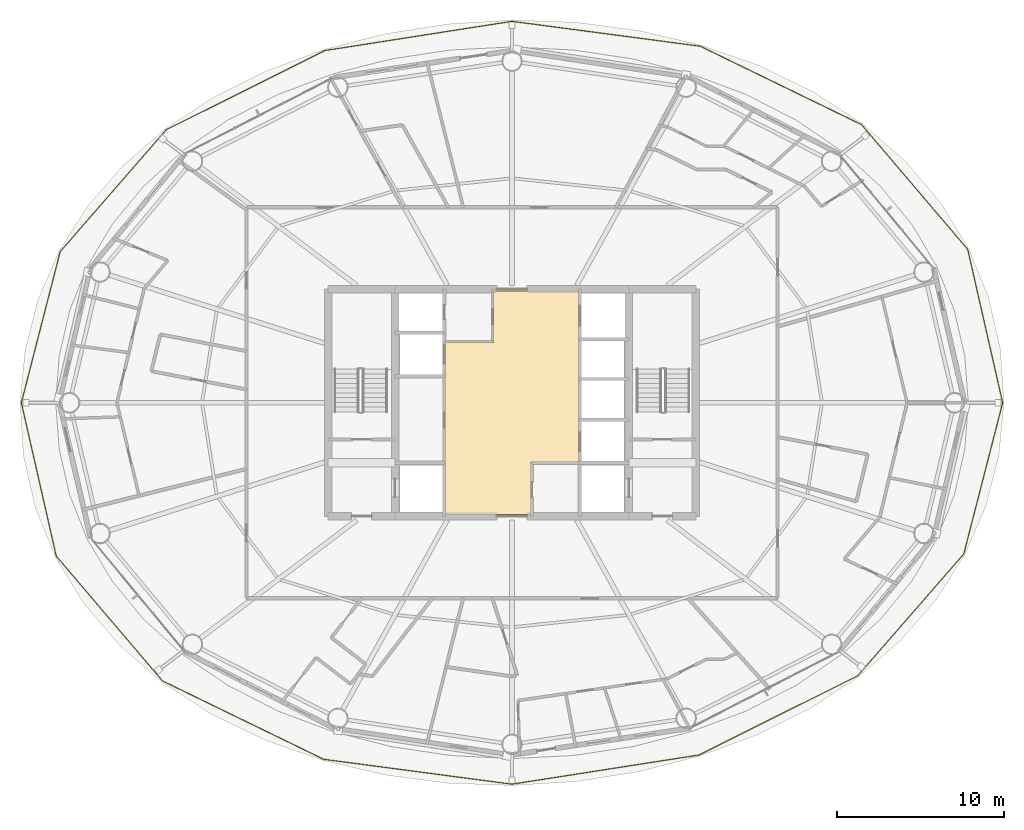
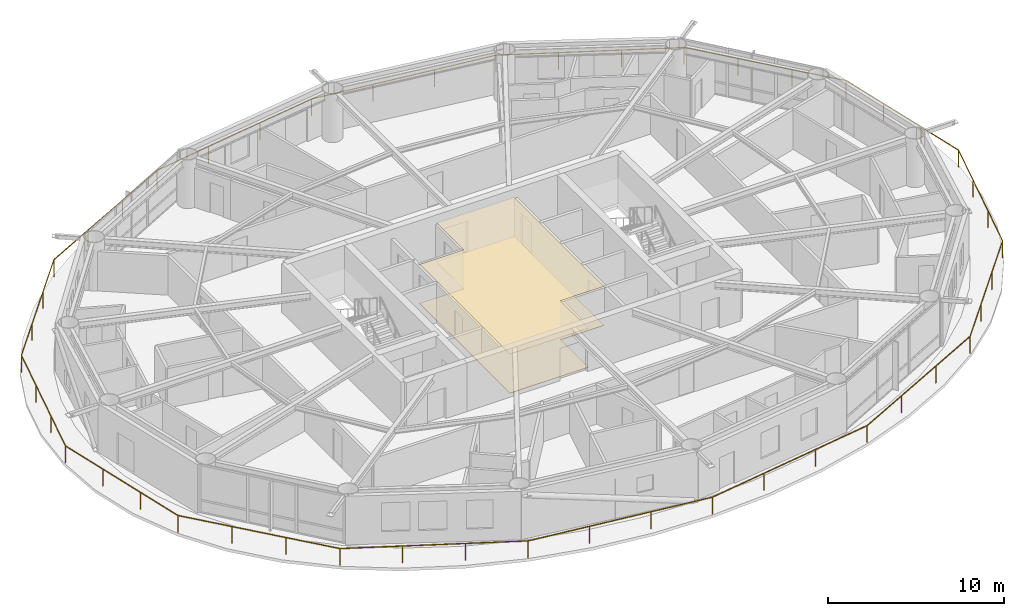
# One storey, part 26 of 27: 2 coverings, 1 railing.
"""IFC4 building model written with IfcOpenShell, lengths in metres."""

import ifcopenshell
import ifcopenshell.guid

model = None  # the IFC model being written
_history = None  # IfcOwnerHistory: only IFC2X3 demands one
_inside = {}  # id of a spatial element -> (the spatial element, [elements in it])
_under = {}  # id of a project, library or spatial element -> (it, [spatial elements below it])
_declared = {}  # id of a project -> (the project, [libraries it declares])
_typed = {}  # id of a type object -> (the type object, [elements of that type])
_made_of = {}  # id of a material, layer set ... -> (it, [elements and type objects made of it])


def new_model(schema):
    """Start an empty IFC model of exactly this schema.

    Asked for "IFC4X3", IfcOpenShell would pick the latest addendum, in which some entities
    have other attributes; the version numbers below select the first issue.
    IFC2X3 requires an IfcOwnerHistory on every rooted entity: one is made here for all.
    """
    global model, _history
    if schema == "IFC4X3":
        model = ifcopenshell.file(schema_version=(4, 3, 0, 0))
    else:
        model = ifcopenshell.file(schema=schema)
    _inside.clear()
    _under.clear()
    _declared.clear()
    _typed.clear()
    _made_of.clear()
    _history = None
    if model.schema == "IFC2X3":
        org = make("IfcOrganization", Name="unknown")
        user = make(
            "IfcPersonAndOrganization",
            ThePerson=make("IfcPerson", FamilyName="unknown"),
            TheOrganization=org,
        )
        app = make(
            "IfcApplication",
            ApplicationDeveloper=org,
            Version="unknown",
            ApplicationFullName="unknown",
            ApplicationIdentifier="unknown",
        )
        _history = make(
            "IfcOwnerHistory",
            OwningUser=user,
            OwningApplication=app,
            ChangeAction="ADDED",
            CreationDate=0,
        )
    return model


def make(cls, **values):
    """One entity of the class cls with the attributes given. An attribute that is None is left unset."""
    return model.create_entity(
        cls, **{name: value for name, value in values.items() if value is not None}
    )


def rooted(cls, **values):
    """An entity with a GlobalId (a new one), such as an element, a storey or a relation."""
    return make(cls, GlobalId=ifcopenshell.guid.new(), OwnerHistory=_history, **values)


def si_unit(unit_type, name, prefix=None):
    """IfcSIUnit, for example si_unit("LENGTHUNIT", "METRE", prefix="MILLI")."""
    return make("IfcSIUnit", UnitType=unit_type, Prefix=prefix, Name=name)


def assignment(units):
    """IfcUnitAssignment: the units of a project."""
    return None if units is None else make("IfcUnitAssignment", Units=units)


def point(xyz):
    """IfcCartesianPoint."""
    return None if xyz is None else make("IfcCartesianPoint", Coordinates=xyz)


def direction(xyz):
    """IfcDirection."""
    return None if xyz is None else make("IfcDirection", DirectionRatios=xyz)


def frame(location, z_axis=None, x_axis=None):
    """IfcAxis2Placement3D, a coordinate frame: its origin and axes. An axis left out is left unset."""
    return make(
        "IfcAxis2Placement3D",
        Location=point(location),
        Axis=direction(z_axis),
        RefDirection=direction(x_axis),
    )


def frame_2d(location, x_axis=None):
    """IfcAxis2Placement2D, a coordinate frame in the plane: its origin and x axis."""
    return make(
        "IfcAxis2Placement2D", Location=point(location), RefDirection=direction(x_axis)
    )


def origin():
    """The frame at (0, 0, 0) with its axes left unset."""
    return frame((0.0, 0.0, 0.0))


def origin_2d():
    """The frame at (0, 0) in the plane with its x axis left unset."""
    return frame_2d((0.0, 0.0))


def place(relative_to, where):
    """IfcLocalPlacement: puts the frame where relative to a parent placement (None: the world)."""
    return make(
        "IfcLocalPlacement", PlacementRelTo=relative_to, RelativePlacement=where
    )


def context(
    kind, dimensions, precision=None, world=None, true_north=None, identifier=None
):
    """IfcGeometricRepresentationContext, for example the 3D "Model" context."""
    return make(
        "IfcGeometricRepresentationContext",
        ContextIdentifier=identifier,
        ContextType=kind,
        CoordinateSpaceDimension=dimensions,
        Precision=precision,
        WorldCoordinateSystem=world,
        TrueNorth=true_north,
    )


def subcontext(parent, identifier, kind, view, scale=None):
    """IfcGeometricRepresentationSubContext, for example "Body" below "Model"."""
    return make(
        "IfcGeometricRepresentationSubContext",
        ContextIdentifier=identifier,
        ContextType=kind,
        ParentContext=parent,
        TargetScale=scale,
        TargetView=view,
    )


def project(units=None, contexts=None):
    """IfcProject with its units and contexts."""
    return rooted(
        "IfcProject",
        Name="project",
        RepresentationContexts=contexts,
        UnitsInContext=assignment(units),
    )


def spatial(cls, under=None, at=None, **own):
    """A site, building, storey or space (cls), placed at a placement, below another one or the project."""
    s = rooted(cls, ObjectPlacement=at, **own)
    if under is not None:
        _under.setdefault(under.id(), (under, []))[1].append(s)
    return s


def polyline(points):
    """IfcPolyline through the points."""
    return make("IfcPolyline", Points=[point(p) for p in points])


def profile(cls, at=None, kind="AREA", **sizes):
    """A parametric profile (cls). Its sizes go by their IFC names, for example OverallWidth=200.0."""
    return make(cls, ProfileType=kind, Position=at, **sizes)


def rectangle(**sizes):
    """IfcRectangleProfileDef."""
    return profile("IfcRectangleProfileDef", **sizes)


def outline(outer, holes=None, kind="AREA"):
    """IfcArbitraryClosedProfileDef: a profile drawn as a closed curve; with holes, ...WithVoids."""
    if holes is None:
        return make("IfcArbitraryClosedProfileDef", ProfileType=kind, OuterCurve=outer)
    return make(
        "IfcArbitraryProfileDefWithVoids",
        ProfileType=kind,
        OuterCurve=outer,
        InnerCurves=holes,
    )


def extrude(swept, where, along, depth):
    """IfcExtrudedAreaSolid: the profile swept, set in the frame where, extruded along a direction by depth."""
    return make(
        "IfcExtrudedAreaSolid",
        SweptArea=swept,
        Position=where,
        ExtrudedDirection=direction(along),
        Depth=depth,
    )


def shape(context_of_items, identifier, shape_type, items):
    """IfcShapeRepresentation: the items that make up one representation, for example the "Body"."""
    return make(
        "IfcShapeRepresentation",
        ContextOfItems=context_of_items,
        RepresentationIdentifier=identifier,
        RepresentationType=shape_type,
        Items=items,
    )


def material(Name=None, Category=None):
    """IfcMaterial."""
    return make("IfcMaterial", Name=Name, Category=Category)


def layer(
    of_material, thickness, ventilated=None, Name=None, Category=None, Priority=None
):
    """IfcMaterialLayer: one layer of a wall or slab, of a material (None: an air gap)."""
    return make(
        "IfcMaterialLayer",
        Material=of_material,
        LayerThickness=thickness,
        IsVentilated=ventilated,
        Name=Name,
        Category=Category,
        Priority=Priority,
    )


def layer_set(layers, Name=None):
    """IfcMaterialLayerSet."""
    return make("IfcMaterialLayerSet", MaterialLayers=layers, LayerSetName=Name)


def made_of(thing, what):
    """Note that an element or type object is made of a material, layer set ...; save() writes the relation."""
    if what is not None:
        _made_of.setdefault(what.id(), (what, []))[1].append(thing)
    return thing


def type_object(cls, material=None, **own):
    """A type object (cls), such as IfcWallType, which elements share."""
    return made_of(rooted(cls, **own), material)


def element(
    cls,
    number,
    at=None,
    inside=None,
    cuts=None,
    type_object=None,
    material=None,
    context=None,
    identifier="Body",
    shape_type=None,
    held_by="IfcProductDefinitionShape",
    body=None,
    shapes=None,
    **own,
):
    """One element of the class cls, such as IfcWall. Its Tag is "e" and its number.

    at: its placement. inside: the storey or other place that contains it. cuts: it is an
    opening in that element (IfcRelVoidsElement). A single representation is given by context,
    identifier, shape_type and body (its items); several are given by shapes. held_by: the class
    of the entity that holds the representations. save() writes the other relations.
    """
    e = rooted(cls, Tag="e%d" % number, ObjectPlacement=at, **own)
    if body is not None:
        shapes = [shape(context, identifier, shape_type, body)]
    if shapes is not None:
        e.Representation = make(held_by, Representations=shapes)
    if inside is not None:
        _inside.setdefault(inside.id(), (inside, []))[1].append(e)
    if cuts is not None:
        rooted(
            "IfcRelVoidsElement", RelatingBuildingElement=cuts, RelatedOpeningElement=e
        )
    if type_object is not None:
        _typed.setdefault(type_object.id(), (type_object, []))[1].append(e)
    return made_of(e, material)


def aggregate(whole, parts):
    """IfcRelAggregates: a whole, such as a stair, and the parts it consists of."""
    return rooted("IfcRelAggregates", RelatingObject=whole, RelatedObjects=parts)


def save(model, path):
    """Write the relations noted so far, then the file.

    IfcRelAggregates (storeys below a building ...), IfcRelContainedInSpatialStructure (elements
    in a storey), IfcRelDefinesByType, IfcRelAssociatesMaterial and IfcRelDeclares: one each for
    every whole, place, type object, material and project.
    """
    for whole, parts in _under.values():
        aggregate(whole, parts)
    for where, things in _inside.values():
        rooted(
            "IfcRelContainedInSpatialStructure",
            RelatedElements=things,
            RelatingStructure=where,
        )
    for kind, things in _typed.values():
        rooted("IfcRelDefinesByType", RelatedObjects=things, RelatingType=kind)
    for what, things in _made_of.values():
        rooted("IfcRelAssociatesMaterial", RelatedObjects=things, RelatingMaterial=what)
    for by, libraries in _declared.values():
        rooted("IfcRelDeclares", RelatingContext=by, RelatedDefinitions=libraries)
    model.write(path)


model = new_model("IFC4")

# Units and contexts
model_context = context("Model", 3, precision=1e-05, world=origin(), true_north=direction((0.0, 1.0)))
body_context = subcontext(model_context, "Body", "Model", "MODEL_VIEW")
ifc_project = project(units=[si_unit("LENGTHUNIT", "METRE"), si_unit("AREAUNIT", "SQUARE_METRE"), si_unit("VOLUMEUNIT", "CUBIC_METRE"), si_unit("PLANEANGLEUNIT", "RADIAN"), si_unit("MASSUNIT", "GRAM", prefix="KILO")], contexts=[model_context])

# Site, building, storey
site_placement = place(None, origin())
site = spatial("IfcSite", under=ifc_project, at=site_placement, CompositionType="ELEMENT")
building_placement = place(site_placement, origin())
building = spatial("IfcBuilding", under=site, at=building_placement, Name="Sarneth Arch Tower", CompositionType="ELEMENT")
storey_placement = place(building_placement, frame((0.0, 0.0, 186.60009765625)))
storey = spatial("IfcBuildingStorey", under=building, at=storey_placement, Name="L47", CompositionType="ELEMENT", Elevation=186.60009765625)

# Coverings
ifc_material_1 = material(Name="Perforated acoustic gypsum ceiling board")
ifc_layer_1 = layer(ifc_material_1, 0.02490234375)
ifc_layer_set_1 = layer_set([ifc_layer_1], Name="Perforated acoustic gypsum ceiling board")
covering_type_1 = type_object("IfcCoveringType", Name="COV-CEIL-GYP", PredefinedType="CEILING", material=ifc_layer_set_1)
covering_1_placement = place(storey_placement, frame((0.0, 0.0, 2.7099609375)))
element("IfcCovering", 1, at=covering_1_placement, inside=storey, type_object=covering_type_1, Name="L47 Lift lobby acoustic ceiling", PredefinedType="CEILING", context=body_context, shape_type="SweptSolid", body=[
    extrude(outline(polyline([(49.14990234375, 38.449951171875), (49.14990234375, 35.300048828125), (44.0, 35.300048828125), (44.0, 45.60009765625), (46.89990234375, 45.60009765625), (46.89990234375, 48.699951171875), (52.0, 48.699951171875), (52.0, 38.449951171875), (49.14990234375, 38.449951171875)])), origin(), (0.0, 0.0, 1.0), 0.030029296875),
])
ifc_material_2 = material(Name="Honed granite stone flooring", Category="masonry")
ifc_layer_2 = layer(ifc_material_2, 0.030029296875)
ifc_layer_set_2 = layer_set([ifc_layer_2], Name="Honed granite stone flooring")
covering_type_2 = type_object("IfcCoveringType", Name="COV-FLR-STONE", PredefinedType="FLOORING", material=ifc_layer_set_2)
covering_2_placement = place(storey_placement, origin())
element("IfcCovering", 2, at=covering_2_placement, inside=storey, type_object=covering_type_2, Name="L47 Lift lobby granite flooring", PredefinedType="FLOORING", context=body_context, shape_type="SweptSolid", body=[
    extrude(outline(polyline([(49.14990234375, 38.449951171875), (49.14990234375, 35.300048828125), (44.0, 35.300048828125), (44.0, 45.60009765625), (46.89990234375, 45.60009765625), (46.89990234375, 48.699951171875), (52.0, 48.699951171875), (52.0, 38.449951171875), (49.14990234375, 38.449951171875)])), origin(), (0.0, 0.0, 1.0), 0.02978515625),
])

# Railing
ifc_material_3 = material(Name="Laminated structural glass infill with Stainless Steel 316 top rail and posts", Category="steel")
railing_type = type_object("IfcRailingType", Name="RAIL-BALC-1200", PredefinedType="BALUSTRADE", material=ifc_material_3)
railing_placement = place(storey_placement, frame((77.37109375, 42.0, 0.0)))
element("IfcRailing", 3, at=railing_placement, inside=storey, type_object=railing_type, Name="L47 Helical balcony glass balustrade", PredefinedType="BALUSTRADE", context=body_context, shape_type="SweptSolid", body=[
    extrude(rectangle(XDim=0.048095703125, YDim=0.048095703125, at=origin_2d()), frame((0.0, 0.0, 1.17578125), z_axis=(-0.222126435417, 0.975017869933, 0.0), x_axis=(-0.975017869933, -0.222126435417, 0.0)), (0.0, 0.0, 1.0), 9.417236328125),
    extrude(rectangle(XDim=0.048095703125, YDim=0.048095703125, at=origin_2d()), frame((-2.091796875, 9.181884765625, 1.17578125), z_axis=(-0.648115249592, 0.761542266224, 0.0), x_axis=(-0.761542266224, -0.648115249592, 0.0)), (0.0, 0.0, 1.0), 9.80419921875),
    extrude(rectangle(XDim=0.048095703125, YDim=0.048095703125, at=origin_2d()), frame((-8.446044921875, 16.648193359375, 1.17578125), z_axis=(-0.899342644461, 0.437244562978, 0.0), x_axis=(-0.437244562978, -0.899342644461, 0.0)), (0.0, 0.0, 1.0), 10.73681640625),
    extrude(rectangle(XDim=0.048095703125, YDim=0.048095703125, at=origin_2d()), frame((-18.10205078125, 21.3427734375, 1.17578125), z_axis=(-0.99138030164, 0.131015638459, 0.0), x_axis=(-0.131015638459, -0.99138030164, 0.0)), (0.0, 0.0, 1.0), 11.366943359375),
    extrude(rectangle(XDim=0.048095703125, YDim=0.048095703125, at=origin_2d()), frame((-29.37109375, 22.83203125, 1.17578125), z_axis=(-0.988026724553, -0.154282829793, 0.0), x_axis=(0.154282829793, -0.988026724553, 0.0)), (0.0, 0.0, 1.0), 11.32373046875),
    extrude(rectangle(XDim=0.048095703125, YDim=0.048095703125, at=origin_2d()), frame((-40.559326171875, 21.0849609375, 1.17578125), z_axis=(-0.894854205727, -0.446358544774, 0.0), x_axis=(0.446358544774, -0.894854205727, 0.0)), (0.0, 0.0, 1.0), 10.624267578125),
    extrude(rectangle(XDim=0.048095703125, YDim=0.048095703125, at=origin_2d()), frame((-50.06640625, 16.3427734375, 1.17578125), z_axis=(-0.656582477541, -0.75425423445, 0.0), x_axis=(0.75425423445, -0.656582477541, 0.0)), (0.0, 0.0, 1.0), 9.66845703125),
    extrude(rectangle(XDim=0.048095703125, YDim=0.048095703125, at=origin_2d()), frame((-56.41455078125, 9.05029296875, 1.17578125), z_axis=(-0.249083048847, -0.968482129302, 0.0), x_axis=(0.968482129302, -0.249083048847, 0.0)), (0.0, 0.0, 1.0), 9.3447265625),
    extrude(rectangle(XDim=0.048095703125, YDim=0.048095703125, at=origin_2d()), frame((-58.7421875, 0.0, 1.17578125), z_axis=(0.222126435417, -0.975017869933, 0.0), x_axis=(0.975017869933, 0.222126435417, 0.0)), (0.0, 0.0, 1.0), 9.417236328125),
    extrude(rectangle(XDim=0.048095703125, YDim=0.048095703125, at=origin_2d()), frame((-56.650390625, -9.181884765625, 1.17578125), z_axis=(0.648115249592, -0.761542266224, 0.0), x_axis=(0.761542266224, 0.648115249592, 0.0)), (0.0, 0.0, 1.0), 9.80419921875),
    extrude(rectangle(XDim=0.048095703125, YDim=0.048095703125, at=origin_2d()), frame((-50.296142578125, -16.648193359375, 1.17578125), z_axis=(0.899342644461, -0.437244562978, 0.0), x_axis=(0.437244562978, 0.899342644461, 0.0)), (0.0, 0.0, 1.0), 10.73681640625),
    extrude(rectangle(XDim=0.048095703125, YDim=0.048095703125, at=origin_2d()), frame((-40.64013671875, -21.3427734375, 1.17578125), z_axis=(0.99138030164, -0.131015638459, 0.0), x_axis=(0.131015638459, 0.99138030164, 0.0)), (0.0, 0.0, 1.0), 11.366943359375),
    extrude(rectangle(XDim=0.048095703125, YDim=0.048095703125, at=origin_2d()), frame((-29.37109375, -22.83203125, 1.17578125), z_axis=(0.988026724553, 0.154282829793, 0.0), x_axis=(-0.154282829793, 0.988026724553, 0.0)), (0.0, 0.0, 1.0), 11.32373046875),
    extrude(rectangle(XDim=0.048095703125, YDim=0.048095703125, at=origin_2d()), frame((-18.182861328125, -21.0849609375, 1.17578125), z_axis=(0.894854205727, 0.446358544774, 0.0), x_axis=(-0.446358544774, 0.894854205727, 0.0)), (0.0, 0.0, 1.0), 10.624267578125),
    extrude(rectangle(XDim=0.048095703125, YDim=0.048095703125, at=origin_2d()), frame((-8.67578125, -16.3427734375, 1.17578125), z_axis=(0.656582477541, 0.75425423445, 0.0), x_axis=(-0.75425423445, 0.656582477541, 0.0)), (0.0, 0.0, 1.0), 9.66845703125),
    extrude(rectangle(XDim=0.048095703125, YDim=0.048095703125, at=origin_2d()), frame((-2.32763671875, -9.05029296875, 1.17578125), z_axis=(0.249083048847, 0.968482129302, 0.0), x_axis=(-0.968482129302, 0.249083048847, 0.0)), (0.0, 0.0, 1.0), 9.3447265625),
    extrude(rectangle(XDim=0.0419921875, YDim=0.0419921875, at=origin_2d()), origin(), (0.0, 0.0, 1.0), 1.15185546875),
    extrude(rectangle(XDim=0.0419921875, YDim=0.0419921875, at=origin_2d()), frame((-0.697265625, 3.060546875, 0.0)), (0.0, 0.0, 1.0), 1.15185546875),
    extrude(rectangle(XDim=0.0419921875, YDim=0.0419921875, at=origin_2d()), frame((-1.39453125, 6.121337890625, 0.0)), (0.0, 0.0, 1.0), 1.15185546875),
    extrude(rectangle(XDim=0.0419921875, YDim=0.0419921875, at=origin_2d()), frame((-2.091796875, 9.181884765625, 0.0)), (0.0, 0.0, 1.0), 1.15185546875),
    extrude(rectangle(XDim=0.0419921875, YDim=0.0419921875, at=origin_2d()), frame((-4.2099609375, 11.670654296875, 0.0)), (0.0, 0.0, 1.0), 1.15185546875),
    extrude(rectangle(XDim=0.0419921875, YDim=0.0419921875, at=origin_2d()), frame((-6.327880859375, 14.159423828125, 0.0)), (0.0, 0.0, 1.0), 1.15185546875),
    extrude(rectangle(XDim=0.0419921875, YDim=0.0419921875, at=origin_2d()), frame((-8.446044921875, 16.648193359375, 0.0)), (0.0, 0.0, 1.0), 1.15185546875),
    extrude(rectangle(XDim=0.0419921875, YDim=0.0419921875, at=origin_2d()), frame((-11.664794921875, 18.213134765625, 0.0)), (0.0, 0.0, 1.0), 1.15185546875),
    extrude(rectangle(XDim=0.0419921875, YDim=0.0419921875, at=origin_2d()), frame((-14.88330078125, 19.77783203125, 0.0)), (0.0, 0.0, 1.0), 1.15185546875),
    extrude(rectangle(XDim=0.0419921875, YDim=0.0419921875, at=origin_2d()), frame((-18.10205078125, 21.3427734375, 0.0)), (0.0, 0.0, 1.0), 1.15185546875),
    extrude(rectangle(XDim=0.0419921875, YDim=0.0419921875, at=origin_2d()), frame((-21.8583984375, 21.839111328125, 0.0)), (0.0, 0.0, 1.0), 1.15185546875),
    extrude(rectangle(XDim=0.0419921875, YDim=0.0419921875, at=origin_2d()), frame((-25.61474609375, 22.335693359375, 0.0)), (0.0, 0.0, 1.0), 1.15185546875),
    extrude(rectangle(XDim=0.0419921875, YDim=0.0419921875, at=origin_2d()), frame((-29.37109375, 22.83203125, 0.0)), (0.0, 0.0, 1.0), 1.15185546875),
    extrude(rectangle(XDim=0.0419921875, YDim=0.0419921875, at=origin_2d()), frame((-33.1005859375, 22.249755859375, 0.0)), (0.0, 0.0, 1.0), 1.15185546875),
    extrude(rectangle(XDim=0.0419921875, YDim=0.0419921875, at=origin_2d()), frame((-36.829833984375, 21.667236328125, 0.0)), (0.0, 0.0, 1.0), 1.15185546875),
    extrude(rectangle(XDim=0.0419921875, YDim=0.0419921875, at=origin_2d()), frame((-40.559326171875, 21.0849609375, 0.0)), (0.0, 0.0, 1.0), 1.15185546875),
    extrude(rectangle(XDim=0.0419921875, YDim=0.0419921875, at=origin_2d()), frame((-43.728271484375, 19.504150390625, 0.0)), (0.0, 0.0, 1.0), 1.15185546875),
    extrude(rectangle(XDim=0.0419921875, YDim=0.0419921875, at=origin_2d()), frame((-46.8974609375, 17.923583984375, 0.0)), (0.0, 0.0, 1.0), 1.15185546875),
    extrude(rectangle(XDim=0.0419921875, YDim=0.0419921875, at=origin_2d()), frame((-50.06640625, 16.3427734375, 0.0)), (0.0, 0.0, 1.0), 1.15185546875),
    extrude(rectangle(XDim=0.0419921875, YDim=0.0419921875, at=origin_2d()), frame((-52.182373046875, 13.911865234375, 0.0)), (0.0, 0.0, 1.0), 1.15185546875),
    extrude(rectangle(XDim=0.0419921875, YDim=0.0419921875, at=origin_2d()), frame((-54.298583984375, 11.481201171875, 0.0)), (0.0, 0.0, 1.0), 1.15185546875),
    extrude(rectangle(XDim=0.0419921875, YDim=0.0419921875, at=origin_2d()), frame((-56.41455078125, 9.05029296875, 0.0)), (0.0, 0.0, 1.0), 1.15185546875),
    extrude(rectangle(XDim=0.0419921875, YDim=0.0419921875, at=origin_2d()), frame((-57.1904296875, 6.033447265625, 0.0)), (0.0, 0.0, 1.0), 1.15185546875),
    extrude(rectangle(XDim=0.0419921875, YDim=0.0419921875, at=origin_2d()), frame((-57.96630859375, 3.016845703125, 0.0)), (0.0, 0.0, 1.0), 1.15185546875),
    extrude(rectangle(XDim=0.0419921875, YDim=0.0419921875, at=origin_2d()), frame((-58.7421875, 0.0, 0.0)), (0.0, 0.0, 1.0), 1.15185546875),
    extrude(rectangle(XDim=0.0419921875, YDim=0.0419921875, at=origin_2d()), frame((-58.044921875, -3.060546875, 0.0)), (0.0, 0.0, 1.0), 1.15185546875),
    extrude(rectangle(XDim=0.0419921875, YDim=0.0419921875, at=origin_2d()), frame((-57.34765625, -6.121337890625, 0.0)), (0.0, 0.0, 1.0), 1.15185546875),
    extrude(rectangle(XDim=0.0419921875, YDim=0.0419921875, at=origin_2d()), frame((-56.650390625, -9.181884765625, 0.0)), (0.0, 0.0, 1.0), 1.15185546875),
    extrude(rectangle(XDim=0.0419921875, YDim=0.0419921875, at=origin_2d()), frame((-54.5322265625, -11.670654296875, 0.0)), (0.0, 0.0, 1.0), 1.15185546875),
    extrude(rectangle(XDim=0.0419921875, YDim=0.0419921875, at=origin_2d()), frame((-52.414306640625, -14.159423828125, 0.0)), (0.0, 0.0, 1.0), 1.15185546875),
    extrude(rectangle(XDim=0.0419921875, YDim=0.0419921875, at=origin_2d()), frame((-50.296142578125, -16.648193359375, 0.0)), (0.0, 0.0, 1.0), 1.15185546875),
    extrude(rectangle(XDim=0.0419921875, YDim=0.0419921875, at=origin_2d()), frame((-47.077392578125, -18.213134765625, 0.0)), (0.0, 0.0, 1.0), 1.15185546875),
    extrude(rectangle(XDim=0.0419921875, YDim=0.0419921875, at=origin_2d()), frame((-43.85888671875, -19.77783203125, 0.0)), (0.0, 0.0, 1.0), 1.15185546875),
    extrude(rectangle(XDim=0.0419921875, YDim=0.0419921875, at=origin_2d()), frame((-40.64013671875, -21.3427734375, 0.0)), (0.0, 0.0, 1.0), 1.15185546875),
    extrude(rectangle(XDim=0.0419921875, YDim=0.0419921875, at=origin_2d()), frame((-36.8837890625, -21.839111328125, 0.0)), (0.0, 0.0, 1.0), 1.15185546875),
    extrude(rectangle(XDim=0.0419921875, YDim=0.0419921875, at=origin_2d()), frame((-33.12744140625, -22.335693359375, 0.0)), (0.0, 0.0, 1.0), 1.15185546875),
    extrude(rectangle(XDim=0.0419921875, YDim=0.0419921875, at=origin_2d()), frame((-29.37109375, -22.83203125, 0.0)), (0.0, 0.0, 1.0), 1.15185546875),
    extrude(rectangle(XDim=0.0419921875, YDim=0.0419921875, at=origin_2d()), frame((-25.6416015625, -22.249755859375, 0.0)), (0.0, 0.0, 1.0), 1.15185546875),
    extrude(rectangle(XDim=0.0419921875, YDim=0.0419921875, at=origin_2d()), frame((-21.912353515625, -21.667236328125, 0.0)), (0.0, 0.0, 1.0), 1.15185546875),
    extrude(rectangle(XDim=0.0419921875, YDim=0.0419921875, at=origin_2d()), frame((-18.182861328125, -21.0849609375, 0.0)), (0.0, 0.0, 1.0), 1.15185546875),
    extrude(rectangle(XDim=0.0419921875, YDim=0.0419921875, at=origin_2d()), frame((-15.013916015625, -19.504150390625, 0.0)), (0.0, 0.0, 1.0), 1.15185546875),
    extrude(rectangle(XDim=0.0419921875, YDim=0.0419921875, at=origin_2d()), frame((-11.8447265625, -17.923583984375, 0.0)), (0.0, 0.0, 1.0), 1.15185546875),
    extrude(rectangle(XDim=0.0419921875, YDim=0.0419921875, at=origin_2d()), frame((-8.67578125, -16.3427734375, 0.0)), (0.0, 0.0, 1.0), 1.15185546875),
    extrude(rectangle(XDim=0.0419921875, YDim=0.0419921875, at=origin_2d()), frame((-6.559814453125, -13.911865234375, 0.0)), (0.0, 0.0, 1.0), 1.15185546875),
    extrude(rectangle(XDim=0.0419921875, YDim=0.0419921875, at=origin_2d()), frame((-4.443603515625, -11.481201171875, 0.0)), (0.0, 0.0, 1.0), 1.15185546875),
    extrude(rectangle(XDim=0.0419921875, YDim=0.0419921875, at=origin_2d()), frame((-2.32763671875, -9.05029296875, 0.0)), (0.0, 0.0, 1.0), 1.15185546875),
    extrude(rectangle(XDim=0.0419921875, YDim=0.0419921875, at=origin_2d()), frame((-1.5517578125, -6.033447265625, 0.0)), (0.0, 0.0, 1.0), 1.15185546875),
    extrude(rectangle(XDim=0.0419921875, YDim=0.0419921875, at=origin_2d()), frame((-0.77587890625, -3.016845703125, 0.0)), (0.0, 0.0, 1.0), 1.15185546875),
])

save(model, "model.ifc")
